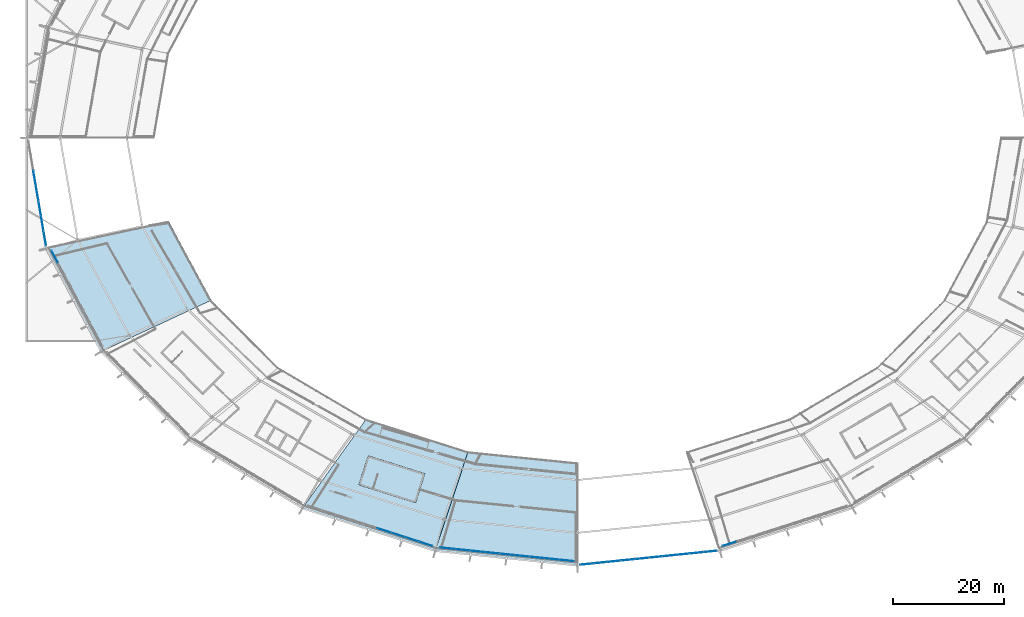
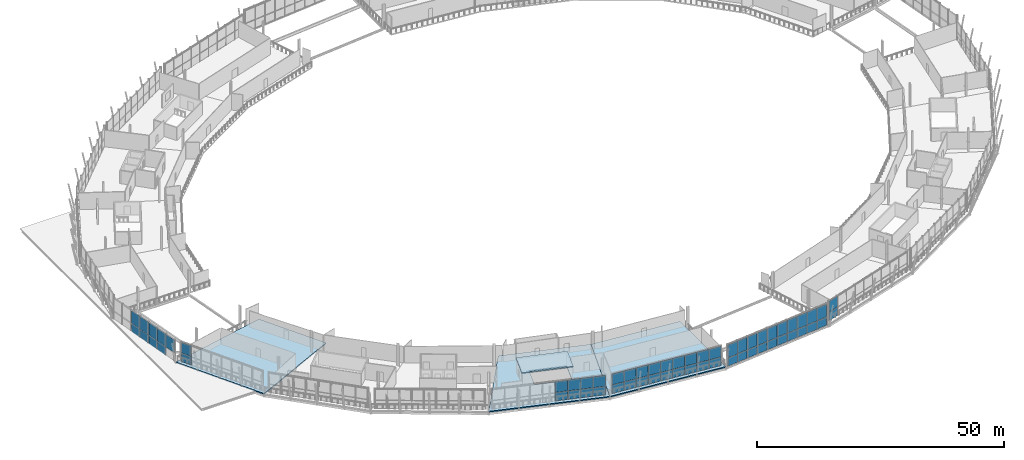
# One storey, part 55 of 99: 59 plates, 4 slabs, 6 elements without a shape of their own.
"""IFC4 building model written with IfcOpenShell, lengths in metres."""

from ifc_helpers import new_model, si_unit, direction, frame, origin, origin_2d, place, context, subcontext, project, spatial, polyline, rectangle, outline, extrude, material, layer, layer_set, type_object, element, aggregate, save


model = new_model("IFC4")

# Units and contexts
model_context = context("Model", 3, precision=1e-05, world=origin(), true_north=direction((0.0, 1.0)))
body_context = subcontext(model_context, "Body", "Model", "MODEL_VIEW")
ifc_project = project(units=[si_unit("LENGTHUNIT", "METRE"), si_unit("AREAUNIT", "SQUARE_METRE"), si_unit("VOLUMEUNIT", "CUBIC_METRE"), si_unit("PLANEANGLEUNIT", "RADIAN"), si_unit("MASSUNIT", "GRAM", prefix="KILO")], contexts=[model_context])

# Site, building, storey
site_placement = place(None, origin())
site = spatial("IfcSite", under=ifc_project, at=site_placement, CompositionType="ELEMENT")
building_placement = place(site_placement, origin())
building = spatial("IfcBuilding", under=site, at=building_placement, Name="Zlatoyarsky Gate Stadium", CompositionType="ELEMENT")
storey_placement = place(building_placement, frame((0.0, 0.0, 26.199951171875)))
storey = spatial("IfcBuildingStorey", under=building, at=storey_placement, Name="L05", CompositionType="ELEMENT", Elevation=26.199951171875)

# Curtain wall, plates
ifc_material_1 = material(Name="Thermally broken anodised aluminium curtain wall", Category="aluminium")
curtain_wall_type_1 = type_object("IfcCurtainWallType", Name="MONUMENTAL ARCHED GATE GLAZING UPPER", PredefinedType="USERDEFINED", material=ifc_material_1)
curtain_wall_1_placement = place(storey_placement, origin())
curtain_wall_1 = element("IfcCurtainWall", 1, at=curtain_wall_1_placement, inside=storey, type_object=curtain_wall_type_1, Name="Curtain wall CW-L05-12", ObjectType="ARCHED GATE GLAZING", PredefinedType="USERDEFINED")
ifc_material_2 = material(Name="Triple-glazed argon low-e architectural glass", Category="glass")
ifc_layer_1 = layer(ifc_material_2, 0.0458984375)
ifc_layer_set_1 = layer_set([ifc_layer_1], Name="Triple-glazed argon low-e architectural glass")
plate_type_1 = type_object("IfcPlateType", Name="ACOUSTIC LAMINATED GATE GLAZING PANEL 46", PredefinedType="CURTAIN_PANEL", material=ifc_layer_set_1)
plate_1_placement = place(storey_placement, frame((13.42578125, 72.7744140625, -0.18505859375), z_axis=(0.0, 0.0, 1.0), x_axis=(0.166995052945, -0.985957733522, 0.0)))
plate_1 = element("IfcPlate", 2, at=plate_1_placement, type_object=plate_type_1, Name="CW-AG2 panel 3.1", PredefinedType="CURTAIN_PANEL", context=body_context, shape_type="SweptSolid", body=[
    extrude(rectangle(XDim=2.676513671875, YDim=0.0458984375, at=origin_2d()), origin(), (0.0, 0.0, 1.0), 2.03759765625),
])
plate_2_placement = place(storey_placement, frame((13.42578125, 72.7744140625, 1.927490234375), z_axis=(0.0, 0.0, 1.0), x_axis=(0.166995052945, -0.985957733522, 0.0)))
plate_2 = element("IfcPlate", 3, at=plate_2_placement, type_object=plate_type_1, Name="CW-AG2 panel 3.2", PredefinedType="CURTAIN_PANEL", context=body_context, shape_type="SweptSolid", body=[
    extrude(rectangle(XDim=2.676513671875, YDim=0.0458984375, at=origin_2d()), origin(), (0.0, 0.0, 1.0), 3.1474609375),
])
plate_3_placement = place(storey_placement, frame((13.88525390625, 70.0615234375, -0.18505859375), z_axis=(0.0, 0.0, 1.0), x_axis=(0.166995052945, -0.985957733522, 0.0)))
plate_3 = element("IfcPlate", 4, at=plate_3_placement, type_object=plate_type_1, Name="CW-AG2 panel 4.1", PredefinedType="CURTAIN_PANEL", context=body_context, shape_type="SweptSolid", body=[
    extrude(rectangle(XDim=2.676513671875, YDim=0.0458984375, at=origin_2d()), origin(), (0.0, 0.0, 1.0), 2.03759765625),
])
plate_4_placement = place(storey_placement, frame((13.88525390625, 70.0615234375, 1.927490234375), z_axis=(0.0, 0.0, 1.0), x_axis=(0.166995052945, -0.985957733522, 0.0)))
plate_4 = element("IfcPlate", 5, at=plate_4_placement, type_object=plate_type_1, Name="CW-AG2 panel 4.2", PredefinedType="CURTAIN_PANEL", context=body_context, shape_type="SweptSolid", body=[
    extrude(rectangle(XDim=2.676513671875, YDim=0.0458984375, at=origin_2d()), origin(), (0.0, 0.0, 1.0), 3.1474609375),
])
plate_5_placement = place(storey_placement, frame((14.3447265625, 67.348876953125, -0.18505859375), z_axis=(0.0, 0.0, 1.0), x_axis=(0.166995052945, -0.985957733522, 0.0)))
plate_5 = element("IfcPlate", 6, at=plate_5_placement, type_object=plate_type_1, Name="CW-AG2 panel 5.1", PredefinedType="CURTAIN_PANEL", context=body_context, shape_type="SweptSolid", body=[
    extrude(rectangle(XDim=2.676513671875, YDim=0.0458984375, at=origin_2d()), origin(), (0.0, 0.0, 1.0), 2.03759765625),
])
plate_6_placement = place(storey_placement, frame((14.3447265625, 67.348876953125, 1.927490234375), z_axis=(0.0, 0.0, 1.0), x_axis=(0.166995052945, -0.985957733522, 0.0)))
plate_6 = element("IfcPlate", 7, at=plate_6_placement, type_object=plate_type_1, Name="CW-AG2 panel 5.2", PredefinedType="CURTAIN_PANEL", context=body_context, shape_type="SweptSolid", body=[
    extrude(rectangle(XDim=2.676513671875, YDim=0.0458984375, at=origin_2d()), origin(), (0.0, 0.0, 1.0), 3.1474609375),
])
plate_7_placement = place(storey_placement, frame((14.80419921875, 64.635986328125, -0.18505859375), z_axis=(0.0, 0.0, 1.0), x_axis=(0.166995052945, -0.985957733522, 0.0)))
plate_7 = element("IfcPlate", 8, at=plate_7_placement, type_object=plate_type_1, Name="CW-AG2 panel 6.1", PredefinedType="CURTAIN_PANEL", context=body_context, shape_type="SweptSolid", body=[
    extrude(rectangle(XDim=2.676513671875, YDim=0.0458984375, at=origin_2d()), origin(), (0.0, 0.0, 1.0), 2.03759765625),
])
plate_8_placement = place(storey_placement, frame((14.80419921875, 64.635986328125, 1.927490234375), z_axis=(0.0, 0.0, 1.0), x_axis=(0.166995052945, -0.985957733522, 0.0)))
plate_8 = element("IfcPlate", 9, at=plate_8_placement, type_object=plate_type_1, Name="CW-AG2 panel 6.2", PredefinedType="CURTAIN_PANEL", context=body_context, shape_type="SweptSolid", body=[
    extrude(rectangle(XDim=2.676513671875, YDim=0.0458984375, at=origin_2d()), origin(), (0.0, 0.0, 1.0), 3.1474609375),
])
plate_9_placement = place(storey_placement, frame((15.260498046875, 61.941650390625, 1.927490234375), z_axis=(0.0, 0.0, 1.0), x_axis=(0.166995052945, -0.985957733522, 0.0)))
plate_9 = element("IfcPlate", 10, at=plate_9_placement, type_object=plate_type_1, Name="CW-AG2 panel 7.2", PredefinedType="CURTAIN_PANEL", context=body_context, shape_type="SweptSolid", body=[
    extrude(rectangle(XDim=2.638916015625, YDim=0.0458984375, at=origin_2d()), origin(), (0.0, 0.0, 1.0), 3.1474609375),
])
aggregate(curtain_wall_1, [plate_1, plate_2, plate_3, plate_4, plate_5, plate_6, plate_7, plate_8, plate_9])

curtain_wall_2_placement = place(storey_placement, origin())
curtain_wall_2 = element("IfcCurtainWall", 11, at=curtain_wall_2_placement, inside=storey, type_object=curtain_wall_type_1, Name="Curtain wall CW-L05-18", ObjectType="ARCHED GATE GLAZING", PredefinedType="USERDEFINED")
plate_10_placement = place(storey_placement, frame((112.7001953125, 3.3759765625, -0.18505859375), z_axis=(0.0, 0.0, 1.0), x_axis=(0.994804369996, 0.101805036399, 0.0)))
plate_10 = element("IfcPlate", 12, at=plate_10_placement, type_object=plate_type_1, Name="CW-AG2 panel 1.1", PredefinedType="CURTAIN_PANEL", context=body_context, shape_type="SweptSolid", body=[
    extrude(rectangle(XDim=2.367919921875, YDim=0.0458984375, at=origin_2d()), origin(), (0.0, 0.0, 1.0), 2.03759765625),
])
plate_11_placement = place(storey_placement, frame((112.7001953125, 3.3759765625, 1.927490234375), z_axis=(0.0, 0.0, 1.0), x_axis=(0.994804369996, 0.101805036399, 0.0)))
plate_11 = element("IfcPlate", 13, at=plate_11_placement, type_object=plate_type_1, Name="CW-AG2 panel 1.2", PredefinedType="CURTAIN_PANEL", context=body_context, shape_type="SweptSolid", body=[
    extrude(rectangle(XDim=2.367919921875, YDim=0.0458984375, at=origin_2d()), origin(), (0.0, 0.0, 1.0), 3.1474609375),
])
plate_12_placement = place(storey_placement, frame((115.14892578125, 3.62646484375, -0.18505859375), z_axis=(0.0, 0.0, 1.0), x_axis=(0.994804369996, 0.101805036399, 0.0)))
plate_12 = element("IfcPlate", 14, at=plate_12_placement, type_object=plate_type_1, Name="CW-AG2 panel 2.1", PredefinedType="CURTAIN_PANEL", context=body_context, shape_type="SweptSolid", body=[
    extrude(rectangle(XDim=2.405517578125, YDim=0.0458984375, at=origin_2d()), origin(), (0.0, 0.0, 1.0), 2.03759765625),
])
plate_13_placement = place(storey_placement, frame((115.14892578125, 3.62646484375, 1.927490234375), z_axis=(0.0, 0.0, 1.0), x_axis=(0.994804369996, 0.101805036399, 0.0)))
plate_13 = element("IfcPlate", 15, at=plate_13_placement, type_object=plate_type_1, Name="CW-AG2 panel 2.2", PredefinedType="CURTAIN_PANEL", context=body_context, shape_type="SweptSolid", body=[
    extrude(rectangle(XDim=2.405517578125, YDim=0.0458984375, at=origin_2d()), origin(), (0.0, 0.0, 1.0), 3.1474609375),
])
plate_14_placement = place(storey_placement, frame((117.616455078125, 3.87890625, -0.18505859375), z_axis=(0.0, 0.0, 1.0), x_axis=(0.994804369996, 0.101805036399, 0.0)))
plate_14 = element("IfcPlate", 16, at=plate_14_placement, type_object=plate_type_1, Name="CW-AG2 panel 3.1", PredefinedType="CURTAIN_PANEL", context=body_context, shape_type="SweptSolid", body=[
    extrude(rectangle(XDim=2.405517578125, YDim=0.0458984375, at=origin_2d()), origin(), (0.0, 0.0, 1.0), 2.03759765625),
])
plate_15_placement = place(storey_placement, frame((117.616455078125, 3.87890625, 1.927490234375), z_axis=(0.0, 0.0, 1.0), x_axis=(0.994804369996, 0.101805036399, 0.0)))
plate_15 = element("IfcPlate", 17, at=plate_15_placement, type_object=plate_type_1, Name="CW-AG2 panel 3.2", PredefinedType="CURTAIN_PANEL", context=body_context, shape_type="SweptSolid", body=[
    extrude(rectangle(XDim=2.405517578125, YDim=0.0458984375, at=origin_2d()), origin(), (0.0, 0.0, 1.0), 3.1474609375),
])
plate_16_placement = place(storey_placement, frame((120.083984375, 4.131591796875, -0.18505859375), z_axis=(0.0, 0.0, 1.0), x_axis=(0.994804369996, 0.101805036399, 0.0)))
plate_16 = element("IfcPlate", 18, at=plate_16_placement, type_object=plate_type_1, Name="CW-AG2 panel 4.1", PredefinedType="CURTAIN_PANEL", context=body_context, shape_type="SweptSolid", body=[
    extrude(rectangle(XDim=2.405517578125, YDim=0.0458984375, at=origin_2d()), origin(), (0.0, 0.0, 1.0), 2.03759765625),
])
plate_17_placement = place(storey_placement, frame((120.083984375, 4.131591796875, 1.927490234375), z_axis=(0.0, 0.0, 1.0), x_axis=(0.994804369996, 0.101805036399, 0.0)))
plate_17 = element("IfcPlate", 19, at=plate_17_placement, type_object=plate_type_1, Name="CW-AG2 panel 4.2", PredefinedType="CURTAIN_PANEL", context=body_context, shape_type="SweptSolid", body=[
    extrude(rectangle(XDim=2.405517578125, YDim=0.0458984375, at=origin_2d()), origin(), (0.0, 0.0, 1.0), 3.1474609375),
])
plate_18_placement = place(storey_placement, frame((122.551513671875, 4.384033203125, -0.18505859375), z_axis=(0.0, 0.0, 1.0), x_axis=(0.994804369996, 0.101805036399, 0.0)))
plate_18 = element("IfcPlate", 20, at=plate_18_placement, type_object=plate_type_1, Name="CW-AG2 panel 5.1", PredefinedType="CURTAIN_PANEL", context=body_context, shape_type="SweptSolid", body=[
    extrude(rectangle(XDim=2.405517578125, YDim=0.0458984375, at=origin_2d()), origin(), (0.0, 0.0, 1.0), 2.03759765625),
])
plate_19_placement = place(storey_placement, frame((122.551513671875, 4.384033203125, 1.927490234375), z_axis=(0.0, 0.0, 1.0), x_axis=(0.994804369996, 0.101805036399, 0.0)))
plate_19 = element("IfcPlate", 21, at=plate_19_placement, type_object=plate_type_1, Name="CW-AG2 panel 5.2", PredefinedType="CURTAIN_PANEL", context=body_context, shape_type="SweptSolid", body=[
    extrude(rectangle(XDim=2.405517578125, YDim=0.0458984375, at=origin_2d()), origin(), (0.0, 0.0, 1.0), 3.1474609375),
])
plate_20_placement = place(storey_placement, frame((125.019287109375, 4.636474609375, -0.18505859375), z_axis=(0.0, 0.0, 1.0), x_axis=(0.994804369996, 0.101805036399, 0.0)))
plate_20 = element("IfcPlate", 22, at=plate_20_placement, type_object=plate_type_1, Name="CW-AG2 panel 6.1", PredefinedType="CURTAIN_PANEL", context=body_context, shape_type="SweptSolid", body=[
    extrude(rectangle(XDim=2.405517578125, YDim=0.0458984375, at=origin_2d()), origin(), (0.0, 0.0, 1.0), 2.03759765625),
])
plate_21_placement = place(storey_placement, frame((125.019287109375, 4.636474609375, 1.927490234375), z_axis=(0.0, 0.0, 1.0), x_axis=(0.994804369996, 0.101805036399, 0.0)))
plate_21 = element("IfcPlate", 23, at=plate_21_placement, type_object=plate_type_1, Name="CW-AG2 panel 6.2", PredefinedType="CURTAIN_PANEL", context=body_context, shape_type="SweptSolid", body=[
    extrude(rectangle(XDim=2.405517578125, YDim=0.0458984375, at=origin_2d()), origin(), (0.0, 0.0, 1.0), 3.1474609375),
])
plate_22_placement = place(storey_placement, frame((127.48681640625, 4.88916015625, -0.18505859375), z_axis=(0.0, 0.0, 1.0), x_axis=(0.994804369996, 0.101805036399, 0.0)))
plate_22 = element("IfcPlate", 24, at=plate_22_placement, type_object=plate_type_1, Name="CW-AG2 panel 7.1", PredefinedType="CURTAIN_PANEL", context=body_context, shape_type="SweptSolid", body=[
    extrude(rectangle(XDim=2.405517578125, YDim=0.0458984375, at=origin_2d()), origin(), (0.0, 0.0, 1.0), 2.03759765625),
])
plate_23_placement = place(storey_placement, frame((127.48681640625, 4.88916015625, 1.927490234375), z_axis=(0.0, 0.0, 1.0), x_axis=(0.994804369996, 0.101805036399, 0.0)))
plate_23 = element("IfcPlate", 25, at=plate_23_placement, type_object=plate_type_1, Name="CW-AG2 panel 7.2", PredefinedType="CURTAIN_PANEL", context=body_context, shape_type="SweptSolid", body=[
    extrude(rectangle(XDim=2.405517578125, YDim=0.0458984375, at=origin_2d()), origin(), (0.0, 0.0, 1.0), 3.1474609375),
])
plate_24_placement = place(storey_placement, frame((129.954345703125, 5.1416015625, -0.18505859375), z_axis=(0.0, 0.0, 1.0), x_axis=(0.994804369996, 0.101805036399, 0.0)))
plate_24 = element("IfcPlate", 26, at=plate_24_placement, type_object=plate_type_1, Name="CW-AG2 panel 8.1", PredefinedType="CURTAIN_PANEL", context=body_context, shape_type="SweptSolid", body=[
    extrude(rectangle(XDim=2.405517578125, YDim=0.0458984375, at=origin_2d()), origin(), (0.0, 0.0, 1.0), 2.03759765625),
])
plate_25_placement = place(storey_placement, frame((129.954345703125, 5.1416015625, 1.927490234375), z_axis=(0.0, 0.0, 1.0), x_axis=(0.994804369996, 0.101805036399, 0.0)))
plate_25 = element("IfcPlate", 27, at=plate_25_placement, type_object=plate_type_1, Name="CW-AG2 panel 8.2", PredefinedType="CURTAIN_PANEL", context=body_context, shape_type="SweptSolid", body=[
    extrude(rectangle(XDim=2.405517578125, YDim=0.0458984375, at=origin_2d()), origin(), (0.0, 0.0, 1.0), 3.1474609375),
])
plate_26_placement = place(storey_placement, frame((132.421875, 5.39404296875, -0.18505859375), z_axis=(0.0, 0.0, 1.0), x_axis=(0.994804369996, 0.101805036399, 0.0)))
plate_26 = element("IfcPlate", 28, at=plate_26_placement, type_object=plate_type_1, Name="CW-AG2 panel 9.1", PredefinedType="CURTAIN_PANEL", context=body_context, shape_type="SweptSolid", body=[
    extrude(rectangle(XDim=2.405517578125, YDim=0.0458984375, at=origin_2d()), origin(), (0.0, 0.0, 1.0), 2.03759765625),
])
plate_27_placement = place(storey_placement, frame((132.421875, 5.39404296875, 1.927490234375), z_axis=(0.0, 0.0, 1.0), x_axis=(0.994804369996, 0.101805036399, 0.0)))
plate_27 = element("IfcPlate", 29, at=plate_27_placement, type_object=plate_type_1, Name="CW-AG2 panel 9.2", PredefinedType="CURTAIN_PANEL", context=body_context, shape_type="SweptSolid", body=[
    extrude(rectangle(XDim=2.405517578125, YDim=0.0458984375, at=origin_2d()), origin(), (0.0, 0.0, 1.0), 3.1474609375),
])
plate_28_placement = place(storey_placement, frame((134.87060546875, 5.644775390625, -0.18505859375), z_axis=(0.0, 0.0, 1.0), x_axis=(0.994804369996, 0.101805036399, 0.0)))
plate_28 = element("IfcPlate", 30, at=plate_28_placement, type_object=plate_type_1, Name="CW-AG2 panel 10.1", PredefinedType="CURTAIN_PANEL", context=body_context, shape_type="SweptSolid", body=[
    extrude(rectangle(XDim=2.367919921875, YDim=0.0458984375, at=origin_2d()), origin(), (0.0, 0.0, 1.0), 2.03759765625),
])
plate_29_placement = place(storey_placement, frame((134.87060546875, 5.644775390625, 1.927490234375), z_axis=(0.0, 0.0, 1.0), x_axis=(0.994804369996, 0.101805036399, 0.0)))
plate_29 = element("IfcPlate", 31, at=plate_29_placement, type_object=plate_type_1, Name="CW-AG2 panel 10.2", PredefinedType="CURTAIN_PANEL", context=body_context, shape_type="SweptSolid", body=[
    extrude(rectangle(XDim=2.367919921875, YDim=0.0458984375, at=origin_2d()), origin(), (0.0, 0.0, 1.0), 3.1474609375),
])
aggregate(curtain_wall_2, [plate_10, plate_11, plate_12, plate_13, plate_14, plate_15, plate_16, plate_17, plate_18, plate_19, plate_20, plate_21, plate_22, plate_23, plate_24, plate_25, plate_26, plate_27, plate_28, plate_29])

# Slabs
ifc_material_3 = material(Name="Concrete C40/50", Category="concrete")
ifc_layer_2 = layer(ifc_material_3, 0.239990234375)
ifc_layer_set_2 = layer_set([ifc_layer_2], Name="Concrete C40/50")
slab_type_1 = type_object("IfcSlabType", Name="CONCRETE CORE TOP CAP SLAB 240", PredefinedType="ROOF", material=ifc_layer_set_2)
slab_1_placement = place(storey_placement, frame((0.0, 0.0, 3.199951171875)))
element("IfcSlab", 32, at=slab_1_placement, inside=storey, type_object=slab_type_1, Name="ST-09 stair headhouse roof cap", PredefinedType="ROOF", context=body_context, shape_type="SweptSolid", body=[
    extrude(outline(polyline([(71.697021484375, 17.611572265625), (81.89892578125, 14.38525390625), (83.557373046875, 19.62939453125), (73.355224609375, 22.85546875), (71.697021484375, 17.611572265625)])), origin(), (0.0, 0.0, 1.0), 0.239990234375),
])
ifc_layer_3 = layer(ifc_material_3, 0.260009765625)
ifc_layer_set_3 = layer_set([ifc_layer_3], Name="Concrete C40/50")
slab_type_2 = type_object("IfcSlabType", Name="CONCRETE SKYBOX SLAB 260", PredefinedType="FLOOR", material=ifc_layer_set_3)
slab_2_placement = place(storey_placement, frame((0.0, 0.0, -0.260009765625)))
element("IfcSlab", 33, at=slab_2_placement, inside=storey, type_object=slab_type_2, Name="L05 bowl sector 13 slab", PredefinedType="FLOOR", context=body_context, shape_type="SweptSolid", body=[
    extrude(outline(polyline([(45.18212890625, 50.800048828125), (25.369140625, 41.56103515625), (15.4912109375, 60.1025390625), (37.589599609375, 64.885009765625), (45.18212890625, 50.800048828125)])), origin(), (0.0, 0.0, 1.0), 0.260009765625),
])
slab_3_placement = place(storey_placement, frame((0.0, 0.0, -0.260009765625)))
element("IfcSlab", 34, at=slab_3_placement, inside=storey, type_object=slab_type_2, Name="L05 bowl sector 16 slab", PredefinedType="FLOOR", context=body_context, shape_type="SweptSolid", body=[
    extrude(outline(polyline([(91.329833984375, 23.58984375), (85.408447265625, 5.741455078125), (61.560791015625, 13.421630859375), (73.0, 29.424072265625), (91.329833984375, 23.58984375)]), holes=[polyline([(81.736083984375, 14.69921875), (83.24365234375, 19.46630859375), (75.854248046875, 21.802978515625), (74.3466796875, 17.035888671875), (81.736083984375, 14.69921875)])]), origin(), (0.0, 0.0, 1.0), 0.260009765625),
])
slab_4_placement = place(storey_placement, frame((0.0, 0.0, -0.260009765625)))
element("IfcSlab", 35, at=slab_4_placement, inside=storey, type_object=slab_type_2, Name="L05 bowl sector 17 slab", PredefinedType="FLOOR", context=body_context, shape_type="SweptSolid", body=[
    extrude(outline(polyline([(111.0, 21.60009765625), (111.0, 3.121826171875), (85.408447265625, 5.741455078125), (91.329833984375, 23.58984375), (111.0, 21.60009765625)])), origin(), (0.0, 0.0, 1.0), 0.260009765625),
])

# Curtain wall, plates
curtain_wall_type_2 = type_object("IfcCurtainWallType", Name="UNITISED SKYBOX RING GLAZING L05", PredefinedType="USERDEFINED", material=ifc_material_1)
curtain_wall_3_placement = place(storey_placement, origin())
curtain_wall_3 = element("IfcCurtainWall", 36, at=curtain_wall_3_placement, inside=storey, type_object=curtain_wall_type_2, Name="Curtain wall CW-L05-13", ObjectType="UNITISED GLAZING", PredefinedType="USERDEFINED")
ifc_layer_4 = layer(ifc_material_2, 0.0380859375)
ifc_layer_set_4 = layer_set([ifc_layer_4], Name="Triple-glazed argon low-e architectural glass")
plate_type_2 = type_object("IfcPlateType", Name="TRIPLE GLAZED LOW E CURTAIN PANEL 38", PredefinedType="CURTAIN_PANEL", material=ifc_layer_set_4)
plate_30_placement = place(storey_placement, frame((17.0556640625, 58.619384765625, 0.06494140625), z_axis=(0.0, 0.0, 1.0), x_axis=(0.470937199667, -0.882166738191, 0.0)))
plate_30 = element("IfcPlate", 37, at=plate_30_placement, type_object=plate_type_2, Name="CW-UG5 panel 1.1", PredefinedType="CURTAIN_PANEL", context=body_context, shape_type="SweptSolid", body=[
    extrude(rectangle(XDim=2.34326171875, YDim=0.0380859375, at=origin_2d()), origin(), (0.0, 0.0, 1.0), 2.052490234375),
])
plate_31_placement = place(storey_placement, frame((17.0556640625, 58.619384765625, 2.1826171875), z_axis=(0.0, 0.0, 1.0), x_axis=(0.470937199667, -0.882166738191, 0.0)))
plate_31 = element("IfcPlate", 38, at=plate_31_placement, type_object=plate_type_2, Name="CW-UG5 panel 1.2", PredefinedType="CURTAIN_PANEL", context=body_context, shape_type="SweptSolid", body=[
    extrude(rectangle(XDim=2.34326171875, YDim=0.0380859375, at=origin_2d()), origin(), (0.0, 0.0, 1.0), 2.632568359375),
])
aggregate(curtain_wall_3, [plate_30, plate_31])

curtain_wall_4_placement = place(storey_placement, origin())
curtain_wall_4 = element("IfcCurtainWall", 39, at=curtain_wall_4_placement, inside=storey, type_object=curtain_wall_type_2, Name="Curtain wall CW-L05-16", ObjectType="UNITISED GLAZING", PredefinedType="USERDEFINED")
plate_32_placement = place(storey_placement, frame((76.24365234375, 9.42138671875, 0.06494140625), z_axis=(0.0, 0.0, 1.0), x_axis=(0.952038580657, -0.305978007283, 0.0)))
plate_32 = element("IfcPlate", 40, at=plate_32_placement, type_object=plate_type_2, Name="CW-UG5 panel 6.1", PredefinedType="CURTAIN_PANEL", context=body_context, shape_type="SweptSolid", body=[
    extrude(rectangle(XDim=2.553955078125, YDim=0.0380859375, at=origin_2d()), origin(), (0.0, 0.0, 1.0), 2.052490234375),
])
plate_33_placement = place(storey_placement, frame((76.24365234375, 9.42138671875, 2.1826171875), z_axis=(0.0, 0.0, 1.0), x_axis=(0.952038580657, -0.305978007283, 0.0)))
plate_33 = element("IfcPlate", 41, at=plate_33_placement, type_object=plate_type_2, Name="CW-UG5 panel 6.2", PredefinedType="CURTAIN_PANEL", context=body_context, shape_type="SweptSolid", body=[
    extrude(rectangle(XDim=2.553955078125, YDim=0.0380859375, at=origin_2d()), origin(), (0.0, 0.0, 1.0), 2.632568359375),
])
plate_34_placement = place(storey_placement, frame((78.737060546875, 8.619873046875, 0.06494140625), z_axis=(0.0, 0.0, 1.0), x_axis=(0.952038580657, -0.305978007283, 0.0)))
plate_34 = element("IfcPlate", 42, at=plate_34_placement, type_object=plate_type_2, Name="CW-UG5 panel 7.1", PredefinedType="CURTAIN_PANEL", context=body_context, shape_type="SweptSolid", body=[
    extrude(rectangle(XDim=2.553955078125, YDim=0.0380859375, at=origin_2d()), origin(), (0.0, 0.0, 1.0), 2.052490234375),
])
plate_35_placement = place(storey_placement, frame((78.737060546875, 8.619873046875, 2.1826171875), z_axis=(0.0, 0.0, 1.0), x_axis=(0.952038580657, -0.305978007283, 0.0)))
plate_35 = element("IfcPlate", 43, at=plate_35_placement, type_object=plate_type_2, Name="CW-UG5 panel 7.2", PredefinedType="CURTAIN_PANEL", context=body_context, shape_type="SweptSolid", body=[
    extrude(rectangle(XDim=2.553955078125, YDim=0.0380859375, at=origin_2d()), origin(), (0.0, 0.0, 1.0), 2.632568359375),
])
plate_36_placement = place(storey_placement, frame((81.230712890625, 7.818603515625, 0.06494140625), z_axis=(0.0, 0.0, 1.0), x_axis=(0.952038580657, -0.305978007283, 0.0)))
plate_36 = element("IfcPlate", 44, at=plate_36_placement, type_object=plate_type_2, Name="CW-UG5 panel 8.1", PredefinedType="CURTAIN_PANEL", context=body_context, shape_type="SweptSolid", body=[
    extrude(rectangle(XDim=2.553955078125, YDim=0.0380859375, at=origin_2d()), origin(), (0.0, 0.0, 1.0), 2.052490234375),
])
plate_37_placement = place(storey_placement, frame((81.230712890625, 7.818603515625, 2.1826171875), z_axis=(0.0, 0.0, 1.0), x_axis=(0.952038580657, -0.305978007283, 0.0)))
plate_37 = element("IfcPlate", 45, at=plate_37_placement, type_object=plate_type_2, Name="CW-UG5 panel 8.2", PredefinedType="CURTAIN_PANEL", context=body_context, shape_type="SweptSolid", body=[
    extrude(rectangle(XDim=2.553955078125, YDim=0.0380859375, at=origin_2d()), origin(), (0.0, 0.0, 1.0), 2.632568359375),
])
plate_38_placement = place(storey_placement, frame((83.70849609375, 7.022216796875, 0.06494140625), z_axis=(0.0, 0.0, 1.0), x_axis=(0.952038580657, -0.305978007283, 0.0)))
plate_38 = element("IfcPlate", 46, at=plate_38_placement, type_object=plate_type_2, Name="CW-UG5 panel 9.1", PredefinedType="CURTAIN_PANEL", context=body_context, shape_type="SweptSolid", body=[
    extrude(rectangle(XDim=2.521484375, YDim=0.0380859375, at=origin_2d()), origin(), (0.0, 0.0, 1.0), 2.052490234375),
])
plate_39_placement = place(storey_placement, frame((83.70849609375, 7.022216796875, 2.1826171875), z_axis=(0.0, 0.0, 1.0), x_axis=(0.952038580657, -0.305978007283, 0.0)))
plate_39 = element("IfcPlate", 47, at=plate_39_placement, type_object=plate_type_2, Name="CW-UG5 panel 9.2", PredefinedType="CURTAIN_PANEL", context=body_context, shape_type="SweptSolid", body=[
    extrude(rectangle(XDim=2.521484375, YDim=0.0380859375, at=origin_2d()), origin(), (0.0, 0.0, 1.0), 2.632568359375),
])
aggregate(curtain_wall_4, [plate_32, plate_33, plate_34, plate_35, plate_36, plate_37, plate_38, plate_39])

curtain_wall_5_placement = place(storey_placement, origin())
curtain_wall_5 = element("IfcCurtainWall", 48, at=curtain_wall_5_placement, inside=storey, type_object=curtain_wall_type_2, Name="Curtain wall CW-L05-17", ObjectType="UNITISED GLAZING", PredefinedType="USERDEFINED")
plate_40_placement = place(storey_placement, frame((87.59228515625, 6.212890625, 0.06494140625), z_axis=(0.0, 0.0, 1.0), x_axis=(0.994823467586, -0.101618248063, 0.0)))
plate_40 = element("IfcPlate", 49, at=plate_40_placement, type_object=plate_type_2, Name="CW-UG5 panel 1.1", PredefinedType="CURTAIN_PANEL", context=body_context, shape_type="SweptSolid", body=[
    extrude(rectangle(XDim=2.59619140625, YDim=0.0380859375, at=origin_2d()), origin(), (0.0, 0.0, 1.0), 2.052490234375),
])
plate_41_placement = place(storey_placement, frame((87.59228515625, 6.212890625, 2.1826171875), z_axis=(0.0, 0.0, 1.0), x_axis=(0.994823467586, -0.101618248063, 0.0)))
plate_41 = element("IfcPlate", 50, at=plate_41_placement, type_object=plate_type_2, Name="CW-UG5 panel 1.2", PredefinedType="CURTAIN_PANEL", context=body_context, shape_type="SweptSolid", body=[
    extrude(rectangle(XDim=2.59619140625, YDim=0.0380859375, at=origin_2d()), origin(), (0.0, 0.0, 1.0), 2.632568359375),
])
plate_42_placement = place(storey_placement, frame((90.255615234375, 5.94091796875, 0.06494140625), z_axis=(0.0, 0.0, 1.0), x_axis=(0.994823467586, -0.101618248063, 0.0)))
plate_42 = element("IfcPlate", 51, at=plate_42_placement, type_object=plate_type_2, Name="CW-UG5 panel 2.1", PredefinedType="CURTAIN_PANEL", context=body_context, shape_type="SweptSolid", body=[
    extrude(rectangle(XDim=2.628662109375, YDim=0.0380859375, at=origin_2d()), origin(), (0.0, 0.0, 1.0), 2.052490234375),
])
plate_43_placement = place(storey_placement, frame((90.255615234375, 5.94091796875, 2.1826171875), z_axis=(0.0, 0.0, 1.0), x_axis=(0.994823467586, -0.101618248063, 0.0)))
plate_43 = element("IfcPlate", 52, at=plate_43_placement, type_object=plate_type_2, Name="CW-UG5 panel 2.2", PredefinedType="CURTAIN_PANEL", context=body_context, shape_type="SweptSolid", body=[
    extrude(rectangle(XDim=2.628662109375, YDim=0.0380859375, at=origin_2d()), origin(), (0.0, 0.0, 1.0), 2.632568359375),
])
plate_44_placement = place(storey_placement, frame((92.935302734375, 5.667236328125, 0.06494140625), z_axis=(0.0, 0.0, 1.0), x_axis=(0.994823467586, -0.101618248063, 0.0)))
plate_44 = element("IfcPlate", 53, at=plate_44_placement, type_object=plate_type_2, Name="CW-UG5 panel 3.1", PredefinedType="CURTAIN_PANEL", context=body_context, shape_type="SweptSolid", body=[
    extrude(rectangle(XDim=2.628662109375, YDim=0.0380859375, at=origin_2d()), origin(), (0.0, 0.0, 1.0), 2.052490234375),
])
plate_45_placement = place(storey_placement, frame((92.935302734375, 5.667236328125, 2.1826171875), z_axis=(0.0, 0.0, 1.0), x_axis=(0.994823467586, -0.101618248063, 0.0)))
plate_45 = element("IfcPlate", 54, at=plate_45_placement, type_object=plate_type_2, Name="CW-UG5 panel 3.2", PredefinedType="CURTAIN_PANEL", context=body_context, shape_type="SweptSolid", body=[
    extrude(rectangle(XDim=2.628662109375, YDim=0.0380859375, at=origin_2d()), origin(), (0.0, 0.0, 1.0), 2.632568359375),
])
plate_46_placement = place(storey_placement, frame((95.614990234375, 5.3935546875, 0.06494140625), z_axis=(0.0, 0.0, 1.0), x_axis=(0.994823467586, -0.101618248063, 0.0)))
plate_46 = element("IfcPlate", 55, at=plate_46_placement, type_object=plate_type_2, Name="CW-UG5 panel 4.1", PredefinedType="CURTAIN_PANEL", context=body_context, shape_type="SweptSolid", body=[
    extrude(rectangle(XDim=2.628662109375, YDim=0.0380859375, at=origin_2d()), origin(), (0.0, 0.0, 1.0), 2.052490234375),
])
plate_47_placement = place(storey_placement, frame((95.614990234375, 5.3935546875, 2.1826171875), z_axis=(0.0, 0.0, 1.0), x_axis=(0.994823467586, -0.101618248063, 0.0)))
plate_47 = element("IfcPlate", 56, at=plate_47_placement, type_object=plate_type_2, Name="CW-UG5 panel 4.2", PredefinedType="CURTAIN_PANEL", context=body_context, shape_type="SweptSolid", body=[
    extrude(rectangle(XDim=2.628662109375, YDim=0.0380859375, at=origin_2d()), origin(), (0.0, 0.0, 1.0), 2.632568359375),
])
plate_48_placement = place(storey_placement, frame((98.294921875, 5.11962890625, 0.06494140625), z_axis=(0.0, 0.0, 1.0), x_axis=(0.994823467586, -0.101618248063, 0.0)))
plate_48 = element("IfcPlate", 57, at=plate_48_placement, type_object=plate_type_2, Name="CW-UG5 panel 5.1", PredefinedType="CURTAIN_PANEL", context=body_context, shape_type="SweptSolid", body=[
    extrude(rectangle(XDim=2.628662109375, YDim=0.0380859375, at=origin_2d()), origin(), (0.0, 0.0, 1.0), 2.052490234375),
])
plate_49_placement = place(storey_placement, frame((98.294921875, 5.11962890625, 2.1826171875), z_axis=(0.0, 0.0, 1.0), x_axis=(0.994823467586, -0.101618248063, 0.0)))
plate_49 = element("IfcPlate", 58, at=plate_49_placement, type_object=plate_type_2, Name="CW-UG5 panel 5.2", PredefinedType="CURTAIN_PANEL", context=body_context, shape_type="SweptSolid", body=[
    extrude(rectangle(XDim=2.628662109375, YDim=0.0380859375, at=origin_2d()), origin(), (0.0, 0.0, 1.0), 2.632568359375),
])
plate_50_placement = place(storey_placement, frame((100.974609375, 4.845947265625, 0.06494140625), z_axis=(0.0, 0.0, 1.0), x_axis=(0.994823467586, -0.101618248063, 0.0)))
plate_50 = element("IfcPlate", 59, at=plate_50_placement, type_object=plate_type_2, Name="CW-UG5 panel 6.1", PredefinedType="CURTAIN_PANEL", context=body_context, shape_type="SweptSolid", body=[
    extrude(rectangle(XDim=2.628662109375, YDim=0.0380859375, at=origin_2d()), origin(), (0.0, 0.0, 1.0), 2.052490234375),
])
plate_51_placement = place(storey_placement, frame((100.974609375, 4.845947265625, 2.1826171875), z_axis=(0.0, 0.0, 1.0), x_axis=(0.994823467586, -0.101618248063, 0.0)))
plate_51 = element("IfcPlate", 60, at=plate_51_placement, type_object=plate_type_2, Name="CW-UG5 panel 6.2", PredefinedType="CURTAIN_PANEL", context=body_context, shape_type="SweptSolid", body=[
    extrude(rectangle(XDim=2.628662109375, YDim=0.0380859375, at=origin_2d()), origin(), (0.0, 0.0, 1.0), 2.632568359375),
])
plate_52_placement = place(storey_placement, frame((103.654296875, 4.572265625, 0.06494140625), z_axis=(0.0, 0.0, 1.0), x_axis=(0.994823467586, -0.101618248063, 0.0)))
plate_52 = element("IfcPlate", 61, at=plate_52_placement, type_object=plate_type_2, Name="CW-UG5 panel 7.1", PredefinedType="CURTAIN_PANEL", context=body_context, shape_type="SweptSolid", body=[
    extrude(rectangle(XDim=2.628662109375, YDim=0.0380859375, at=origin_2d()), origin(), (0.0, 0.0, 1.0), 2.052490234375),
])
plate_53_placement = place(storey_placement, frame((103.654296875, 4.572265625, 2.1826171875), z_axis=(0.0, 0.0, 1.0), x_axis=(0.994823467586, -0.101618248063, 0.0)))
plate_53 = element("IfcPlate", 62, at=plate_53_placement, type_object=plate_type_2, Name="CW-UG5 panel 7.2", PredefinedType="CURTAIN_PANEL", context=body_context, shape_type="SweptSolid", body=[
    extrude(rectangle(XDim=2.628662109375, YDim=0.0380859375, at=origin_2d()), origin(), (0.0, 0.0, 1.0), 2.632568359375),
])
plate_54_placement = place(storey_placement, frame((106.333984375, 4.298583984375, 0.06494140625), z_axis=(0.0, 0.0, 1.0), x_axis=(0.994823467586, -0.101618248063, 0.0)))
plate_54 = element("IfcPlate", 63, at=plate_54_placement, type_object=plate_type_2, Name="CW-UG5 panel 8.1", PredefinedType="CURTAIN_PANEL", context=body_context, shape_type="SweptSolid", body=[
    extrude(rectangle(XDim=2.628662109375, YDim=0.0380859375, at=origin_2d()), origin(), (0.0, 0.0, 1.0), 2.052490234375),
])
plate_55_placement = place(storey_placement, frame((106.333984375, 4.298583984375, 2.1826171875), z_axis=(0.0, 0.0, 1.0), x_axis=(0.994823467586, -0.101618248063, 0.0)))
plate_55 = element("IfcPlate", 64, at=plate_55_placement, type_object=plate_type_2, Name="CW-UG5 panel 8.2", PredefinedType="CURTAIN_PANEL", context=body_context, shape_type="SweptSolid", body=[
    extrude(rectangle(XDim=2.628662109375, YDim=0.0380859375, at=origin_2d()), origin(), (0.0, 0.0, 1.0), 2.632568359375),
])
plate_56_placement = place(storey_placement, frame((108.997314453125, 4.026611328125, 0.06494140625), z_axis=(0.0, 0.0, 1.0), x_axis=(0.994823467586, -0.101618248063, 0.0)))
plate_56 = element("IfcPlate", 65, at=plate_56_placement, type_object=plate_type_2, Name="CW-UG5 panel 9.1", PredefinedType="CURTAIN_PANEL", context=body_context, shape_type="SweptSolid", body=[
    extrude(rectangle(XDim=2.59619140625, YDim=0.0380859375, at=origin_2d()), origin(), (0.0, 0.0, 1.0), 2.052490234375),
])
plate_57_placement = place(storey_placement, frame((108.997314453125, 4.026611328125, 2.1826171875), z_axis=(0.0, 0.0, 1.0), x_axis=(0.994823467586, -0.101618248063, 0.0)))
plate_57 = element("IfcPlate", 66, at=plate_57_placement, type_object=plate_type_2, Name="CW-UG5 panel 9.2", PredefinedType="CURTAIN_PANEL", context=body_context, shape_type="SweptSolid", body=[
    extrude(rectangle(XDim=2.59619140625, YDim=0.0380859375, at=origin_2d()), origin(), (0.0, 0.0, 1.0), 2.632568359375),
])
aggregate(curtain_wall_5, [plate_40, plate_41, plate_42, plate_43, plate_44, plate_45, plate_46, plate_47, plate_48, plate_49, plate_50, plate_51, plate_52, plate_53, plate_54, plate_55, plate_56, plate_57])

curtain_wall_6_placement = place(storey_placement, origin())
curtain_wall_6 = element("IfcCurtainWall", 67, at=curtain_wall_6_placement, inside=storey, type_object=curtain_wall_type_2, Name="Curtain wall CW-L05-19", ObjectType="UNITISED GLAZING", PredefinedType="USERDEFINED")
plate_58_placement = place(storey_placement, frame((138.29150390625, 7.022216796875, 0.06494140625), z_axis=(0.0, 0.0, 1.0), x_axis=(0.952038580657, 0.305978007283, 0.0)))
plate_58 = element("IfcPlate", 68, at=plate_58_placement, type_object=plate_type_2, Name="CW-UG5 panel 1.1", PredefinedType="CURTAIN_PANEL", context=body_context, shape_type="SweptSolid", body=[
    extrude(rectangle(XDim=2.521484375, YDim=0.0380859375, at=origin_2d()), origin(), (0.0, 0.0, 1.0), 2.052490234375),
])
plate_59_placement = place(storey_placement, frame((138.29150390625, 7.022216796875, 2.1826171875), z_axis=(0.0, 0.0, 1.0), x_axis=(0.952038580657, 0.305978007283, 0.0)))
plate_59 = element("IfcPlate", 69, at=plate_59_placement, type_object=plate_type_2, Name="CW-UG5 panel 1.2", PredefinedType="CURTAIN_PANEL", context=body_context, shape_type="SweptSolid", body=[
    extrude(rectangle(XDim=2.521484375, YDim=0.0380859375, at=origin_2d()), origin(), (0.0, 0.0, 1.0), 2.632568359375),
])
aggregate(curtain_wall_6, [plate_58, plate_59])

save(model, "model.ifc")
